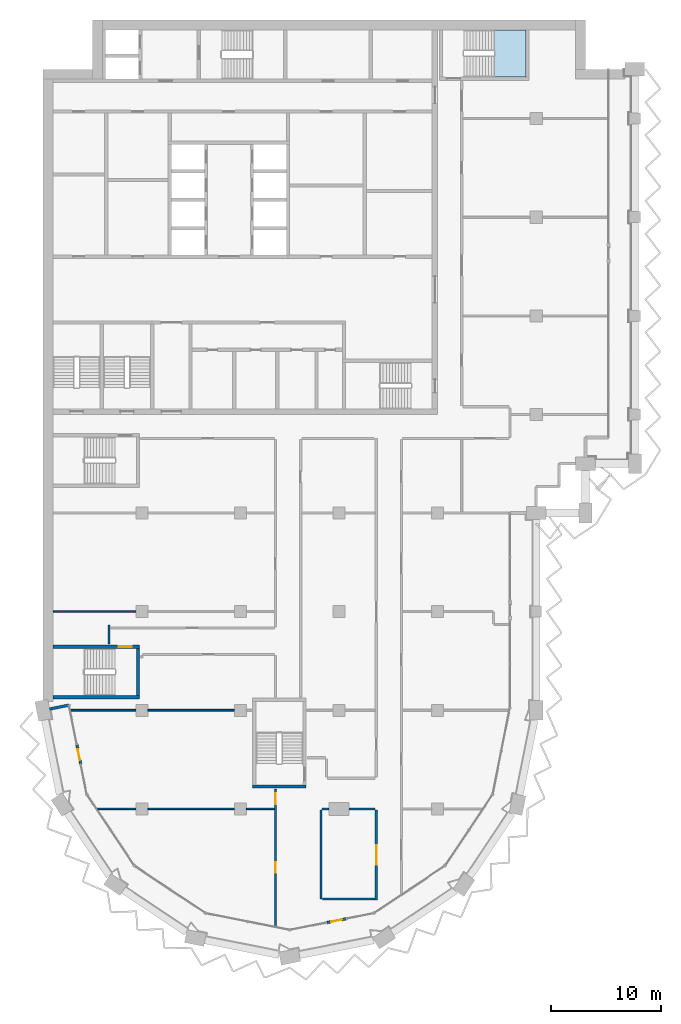
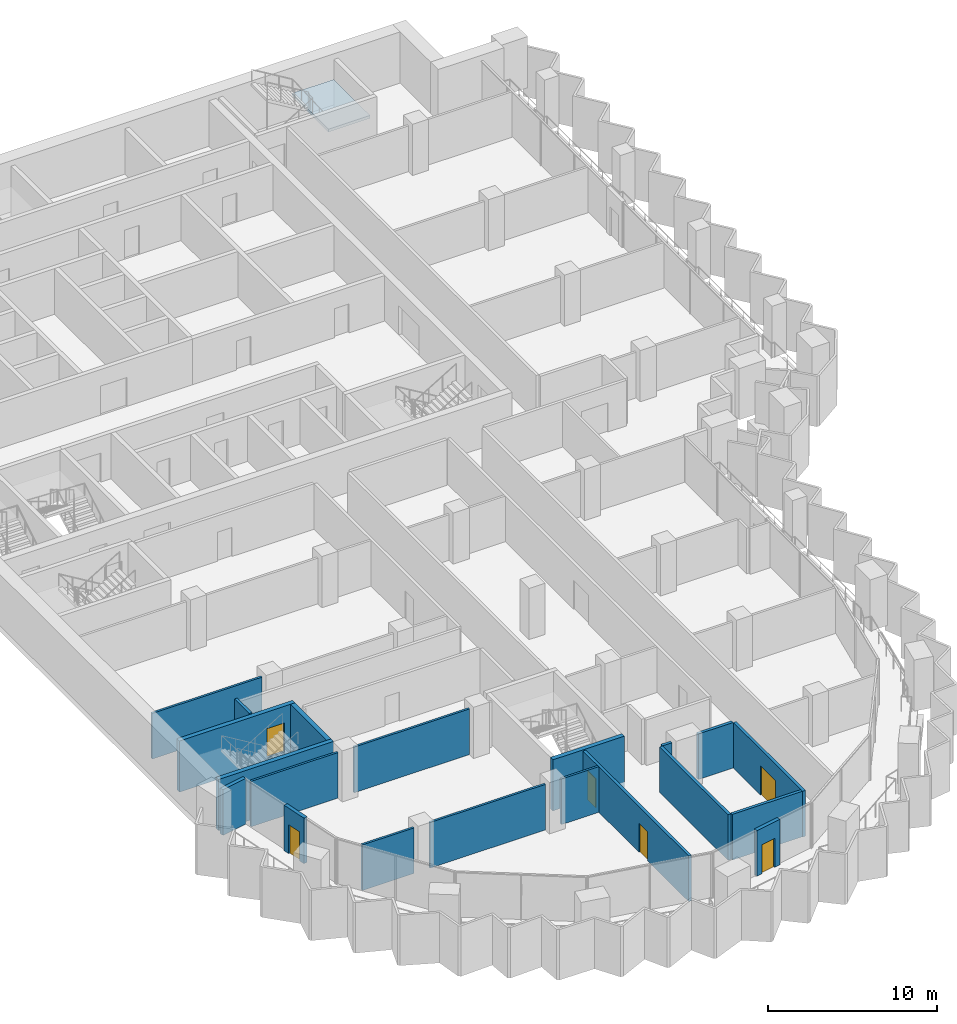
# One storey, part 7 of 17: 20 walls, 6 doors, 1 slab, 6 openings, 1 element without a shape of its own.
"""IFC4 building model written with IfcOpenShell, lengths in metres."""

from ifc_helpers import new_model, si_unit, direction, frame, frame_2d, origin, place, context, subcontext, project, spatial, polyline, rectangle, outline, extrude, material, layer, layer_set, type_object, element, fill, aggregate, save


model = new_model("IFC4")

# Units and contexts
model_context = context("Model", 3, precision=1e-05, world=origin(), true_north=direction((0.0, 1.0)))
body_context = subcontext(model_context, "Body", "Model", "MODEL_VIEW")
ifc_project = project(units=[si_unit("LENGTHUNIT", "METRE"), si_unit("AREAUNIT", "SQUARE_METRE"), si_unit("VOLUMEUNIT", "CUBIC_METRE"), si_unit("PLANEANGLEUNIT", "RADIAN"), si_unit("MASSUNIT", "GRAM", prefix="KILO")], contexts=[model_context])

# Site, building, storey
site_placement = place(None, origin())
site = spatial("IfcSite", under=ifc_project, at=site_placement, CompositionType="ELEMENT")
building_placement = place(site_placement, origin())
building = spatial("IfcBuilding", under=site, at=building_placement, Name="Hunhe Ridgeline Campus", CompositionType="ELEMENT")
storey_placement = place(building_placement, frame((0.0, 0.0, 212.39990234375)))
storey = spatial("IfcBuildingStorey", under=building, at=storey_placement, Name="L54", CompositionType="ELEMENT", Elevation=212.39990234375)

# Stair, slab
ifc_material_1 = material(Name="Concrete C40", Category="concrete")
stair_type = type_object("IfcStairType", Name="Reinforced concrete dog-leg stair 1950 Concrete C40", PredefinedType="HALF_TURN_STAIR", material=ifc_material_1)
stair_placement = place(storey_placement, origin())
stair = element("IfcStair", 1, at=stair_placement, inside=storey, type_object=stair_type, Name="L54 E1", PredefinedType="HALF_TURN_STAIR")
ifc_layer_1 = layer(ifc_material_1, 0.199951171875)
ifc_layer_set_1 = layer_set([ifc_layer_1], Name="Reinforced concrete stair landing 200 Concrete C40")
slab_type = type_object("IfcSlabType", Name="Reinforced concrete stair landing 200 Concrete C40", PredefinedType="LANDING", material=ifc_layer_set_1)
slab_placement = place(storey_placement, frame((0.0, 0.0, 1.650146484375)))
slab = element("IfcSlab", 2, at=slab_placement, type_object=slab_type, Name="ST5 landing 1", PredefinedType="LANDING", context=body_context, shape_type="SweptSolid", body=[
    extrude(outline(polyline([(41.199951171875, 93.800048828125), (44.050048828125, 93.800048828125), (44.050048828125, 98.10009765625), (41.199951171875, 98.10009765625), (41.199951171875, 93.800048828125)])), origin(), (0.0, 0.0, 1.0), 0.199951171875),
])
aggregate(stair, [slab])

# Walls
ifc_material_2 = material(Name="Concrete C30", Category="concrete")
ifc_layer_2 = layer(ifc_material_2, 0.25)
ifc_layer_set_2 = layer_set([ifc_layer_2], Name="Corner return wall 250 Concrete C30")
wall_type_1 = type_object("IfcWallType", Name="Corner return wall 250 Concrete C30", PredefinedType="SOLIDWALL", material=ifc_layer_set_2)
wall_1_placement = place(storey_placement, frame((0.58837890625, 36.117919921875, 0.0), z_axis=(0.0, 0.0, 1.0), x_axis=(0.980840518545, 0.194812415363, 0.0)))
element("IfcWall", 3, at=wall_1_placement, inside=storey, type_object=wall_type_1, Name="Corner return wall 1", PredefinedType="SOLIDWALL", context=body_context, shape_type="SweptSolid", body=[
    extrude(rectangle(XDim=1.80078125, YDim=0.25, at=frame_2d((0.900390625, 0.0))), origin(), (0.0, 0.0, 1.0), 3.300048828125),
])
ifc_material_3 = material(Name="Gypsum board partition")
ifc_layer_3 = layer(ifc_material_3, 0.199951171875)
ifc_layer_set_3 = layer_set([ifc_layer_3], Name="Corridor partition 200 gypsum board on steel studs")
wall_type_2 = type_object("IfcWallType", Name="Corridor partition 200 gypsum board on steel studs", PredefinedType="PARTITIONING", material=ifc_layer_set_3)
wall_2_placement = place(storey_placement, frame((25.492919921875, 18.7900390625, 0.0), z_axis=(0.0, 0.0, 1.0), x_axis=(1.0, 0.0, 0.0)))
element("IfcWall", 4, at=wall_2_placement, inside=storey, type_object=wall_type_2, Name="F-L54-wall-001", PredefinedType="PARTITIONING", context=body_context, shape_type="SweptSolid", body=[
    extrude(rectangle(XDim=4.80712890625, YDim=0.199951171875, at=frame_2d((2.403564453125, 0.0))), origin(), (0.0, 0.0, 1.0), 3.300048828125),
])
wall_3_placement = place(storey_placement, frame((26.10009765625, 27.0, 0.0), z_axis=(0.0, 0.0, 1.0), x_axis=(-1.0, 0.0, 0.0)))
element("IfcWall", 5, at=wall_3_placement, inside=storey, type_object=wall_type_2, Name="F-L54-wall-002", PredefinedType="PARTITIONING", context=body_context, shape_type="SweptSolid", body=[
    extrude(rectangle(XDim=0.650146484375, YDim=0.199951171875, at=frame_2d((0.3251953125, 0.0))), origin(), (0.0, 0.0, 1.0), 3.300048828125),
])
wall_4_placement = place(storey_placement, frame((30.300048828125, 27.0, 0.0), z_axis=(0.0, 0.0, 1.0), x_axis=(-1.0, 0.0, 0.0)))
element("IfcWall", 6, at=wall_4_placement, inside=storey, type_object=wall_type_2, Name="F-L54-wall-003", PredefinedType="PARTITIONING", context=body_context, shape_type="SweptSolid", body=[
    extrude(rectangle(XDim=2.400146484375, YDim=0.199951171875, at=frame_2d((1.2001953125, 0.0))), origin(), (0.0, 0.0, 1.0), 3.300048828125),
])
wall_5_placement = place(storey_placement, frame((6.0, 42.053955078125, 0.0), z_axis=(0.0, 0.0, 1.0), x_axis=(0.0, 1.0, 0.0)))
element("IfcWall", 7, at=wall_5_placement, inside=storey, type_object=wall_type_2, Name="F-L54-wall-045", PredefinedType="PARTITIONING", context=body_context, shape_type="SweptSolid", body=[
    extrude(rectangle(XDim=1.74609375, YDim=0.199951171875, at=frame_2d((0.873046875, 0.0))), origin(), (0.0, 0.0, 1.0), 3.300048828125),
])

# Wall, openings, doors
wall_6_placement = place(storey_placement, frame((21.199951171875, 16.26171875, 0.0), z_axis=(0.0, 0.0, 1.0), x_axis=(0.0, 1.0, 0.0)))
wall_6 = element("IfcWall", 8, at=wall_6_placement, inside=storey, type_object=wall_type_2, Name="F-L54-wall-047", PredefinedType="PARTITIONING", context=body_context, shape_type="SweptSolid", body=[
    extrude(rectangle(XDim=12.5341796875, YDim=0.199951171875, at=frame_2d((6.26708984375, 0.0))), origin(), (0.0, 0.0, 1.0), 3.300048828125),
])
opening_1_placement = place(wall_6_placement, frame((4.889892578125, 0.0, 0.0)))
opening_1 = element("IfcOpeningElement", 9, at=opening_1_placement, cuts=wall_6, Name="Opening RD1-001", PredefinedType="OPENING", context=body_context, shape_type="SweptSolid", body=[
    extrude(rectangle(XDim=1.0, YDim=2.10009765625, at=frame_2d((0.5, 1.050048828125))), frame((0.0, 0.10009765625, 0.0), z_axis=(0.0, -1.0, 0.0), x_axis=(1.0, 0.0, 0.0)), (0.0, 0.0, 1.0), 0.199951171875),
])
opening_2_placement = place(wall_6_placement, frame((11.156982421875, 0.0, 0.0)))
opening_2 = element("IfcOpeningElement", 10, at=opening_2_placement, cuts=wall_6, Name="Opening RD1-004", PredefinedType="OPENING", context=body_context, shape_type="SweptSolid", body=[
    extrude(rectangle(XDim=1.0, YDim=2.10009765625, at=frame_2d((0.5, 1.050048828125))), frame((0.0, 0.10009765625, 0.0), z_axis=(0.0, -1.0, 0.0), x_axis=(1.0, 0.0, 0.0)), (0.0, 0.0, 1.0), 0.199951171875),
])
ifc_material_4 = material(Name="Timber door leaf", Category="wood")
door_type_1 = type_object("IfcDoorType", Name="Single fire door 1000x2100 timber FD60", OperationType="NOTDEFINED", PredefinedType="DOOR", material=ifc_material_4)
door_1_placement = place(opening_1_placement, origin())
door_1 = element("IfcDoor", 11, at=door_1_placement, inside=storey, type_object=door_type_1, Name="F-L54-door-001", OperationType="SINGLE_SWING_RIGHT", OverallHeight=2.10009765625, OverallWidth=1.0, PredefinedType="DOOR", context=body_context, shape_type="SweptSolid", body=[
    extrude(rectangle(XDim=1.0, YDim=2.10009765625, at=frame_2d((0.5, 1.050048828125))), frame((0.0, 0.02490234375, 0.0), z_axis=(0.0, -1.0, 0.0), x_axis=(1.0, 0.0, 0.0)), (0.0, 0.0, 1.0), 0.050048828125),
])
fill(opening_1, door_1)
door_2_placement = place(opening_2_placement, origin())
door_2 = element("IfcDoor", 12, at=door_2_placement, inside=storey, type_object=door_type_1, Name="F-L54-door-004", OperationType="SINGLE_SWING_RIGHT", OverallHeight=2.10009765625, OverallWidth=1.0, PredefinedType="DOOR", context=body_context, shape_type="SweptSolid", body=[
    extrude(rectangle(XDim=1.0, YDim=2.10009765625, at=frame_2d((0.5, 1.050048828125))), frame((0.0, 0.02490234375, 0.0), z_axis=(0.0, -1.0, 0.0), x_axis=(1.0, 0.0, 0.0)), (0.0, 0.0, 1.0), 0.050048828125),
])
fill(opening_2, door_2)

# Wall
wall_7_placement = place(storey_placement, frame((25.35009765625, 26.89990234375, 0.0), z_axis=(0.0, 0.0, 1.0), x_axis=(0.0, -1.0, 0.0)))
element("IfcWall", 13, at=wall_7_placement, inside=storey, type_object=wall_type_2, Name="F-L54-wall-051", PredefinedType="PARTITIONING", context=body_context, shape_type="SweptSolid", body=[
    extrude(rectangle(XDim=8.10986328125, YDim=0.199951171875, at=frame_2d((4.054931640625, 0.0))), origin(), (0.0, 0.0, 1.0), 3.300048828125),
])

# Wall, opening, door
wall_8_placement = place(storey_placement, frame((30.39990234375, 18.670654296875, 0.0), z_axis=(0.0, 0.0, 1.0), x_axis=(0.0, 1.0, 0.0)))
wall_8 = element("IfcWall", 14, at=wall_8_placement, inside=storey, type_object=wall_type_2, Name="F-L54-wall-053", PredefinedType="PARTITIONING", context=body_context, shape_type="SweptSolid", body=[
    extrude(rectangle(XDim=8.229248046875, YDim=0.199951171875, at=frame_2d((4.11474609375, 0.0))), origin(), (0.0, 0.0, 1.0), 3.300048828125),
])
opening_3_placement = place(wall_8_placement, frame((3.214599609375, 0.0, 0.0)))
opening_3 = element("IfcOpeningElement", 15, at=opening_3_placement, cuts=wall_8, Name="Opening RD2-002", PredefinedType="OPENING", context=body_context, shape_type="SweptSolid", body=[
    extrude(rectangle(XDim=1.800048828125, YDim=2.10009765625, at=frame_2d((0.89990234375, 1.050048828125))), frame((0.0, 0.10009765625, 0.0), z_axis=(0.0, -1.0, 0.0), x_axis=(1.0, 0.0, 0.0)), (0.0, 0.0, 1.0), 0.199951171875),
])
door_type_2 = type_object("IfcDoorType", Name="Double fire door 1800x2100 timber FD60", OperationType="DOUBLE_DOOR_SINGLE_SWING", PredefinedType="DOOR", material=ifc_material_4)
door_3_placement = place(opening_3_placement, origin())
door_3 = element("IfcDoor", 16, at=door_3_placement, inside=storey, type_object=door_type_2, Name="F-L54-door-002", OperationType="DOUBLE_DOOR_SINGLE_SWING", OverallHeight=2.10009765625, OverallWidth=1.800048828125, PredefinedType="DOOR", context=body_context, shape_type="SweptSolid", body=[
    extrude(rectangle(XDim=1.800048828125, YDim=2.10009765625, at=frame_2d((0.89990234375, 1.050048828125))), frame((0.0, 0.02490234375, 0.0), z_axis=(0.0, -1.0, 0.0), x_axis=(1.0, 0.0, 0.0)), (0.0, 0.0, 1.0), 0.050048828125),
])
fill(opening_3, door_3)

ifc_layer_4 = layer(ifc_material_2, 0.25)
ifc_layer_set_4 = layer_set([ifc_layer_4], Name="Loggia door pier wall 250 Concrete C30")
wall_type_3 = type_object("IfcWallType", Name="Loggia door pier wall 250 Concrete C30", PredefinedType="SOLIDWALL", material=ifc_layer_set_4)
wall_9_placement = place(storey_placement, frame((3.076904296875, 32.8388671875, 0.0), z_axis=(0.0, 0.0, 1.0), x_axis=(0.195046569833, -0.980793982239, 0.0)))
wall_9 = element("IfcWall", 17, at=wall_9_placement, inside=storey, type_object=wall_type_3, Name="Loggia door pier 1", PredefinedType="SOLIDWALL", context=body_context, shape_type="SweptSolid", body=[
    extrude(rectangle(XDim=1.800048828125, YDim=0.25, at=frame_2d((0.89990234375, 0.0))), origin(), (0.0, 0.0, 1.0), 3.300048828125),
])
opening_4_placement = place(wall_9_placement, frame((0.39990234375, 0.0, 0.0)))
opening_4 = element("IfcOpeningElement", 18, at=opening_4_placement, cuts=wall_9, Name="Opening BD401", PredefinedType="OPENING", context=body_context, shape_type="SweptSolid", body=[
    extrude(rectangle(XDim=1.0, YDim=2.10009765625, at=frame_2d((0.5, 1.050048828125))), frame((0.0, 0.125, 0.0), z_axis=(0.0, -1.0, 0.0), x_axis=(1.0, 0.0, 0.0)), (0.0, 0.0, 1.0), 0.25),
])
ifc_material_5 = material(Name="Aluminium 6063", Category="aluminium")
door_type_3 = type_object("IfcDoorType", Name="Loggia glazed door 1000x2100", OperationType="NOTDEFINED", PredefinedType="DOOR", material=ifc_material_5)
door_4_placement = place(opening_4_placement, frame((1.0, 0.0, 0.0), z_axis=(0.0, 0.0, 1.0), x_axis=(-1.0, 0.0, 0.0)))
door_4 = element("IfcDoor", 19, at=door_4_placement, inside=storey, type_object=door_type_3, Name="Loggia door BD401", OperationType="SINGLE_SWING_RIGHT", OverallHeight=2.10009765625, OverallWidth=1.0, PredefinedType="DOOR", context=body_context, shape_type="SweptSolid", body=[
    extrude(rectangle(XDim=1.0, YDim=2.10009765625, at=frame_2d((0.5, 1.050048828125))), frame((0.0, 0.02490234375, 0.0), z_axis=(0.0, -1.0, 0.0), x_axis=(1.0, 0.0, 0.0)), (0.0, 0.0, 1.0), 0.050048828125),
])
fill(opening_4, door_4)

wall_10_placement = place(storey_placement, frame((25.8955078125, 16.62353515625, 0.0), z_axis=(0.0, 0.0, 1.0), x_axis=(0.980793982239, 0.195046569833, 0.0)))
wall_10 = element("IfcWall", 20, at=wall_10_placement, inside=storey, type_object=wall_type_3, Name="Loggia door pier 2", PredefinedType="SOLIDWALL", context=body_context, shape_type="SweptSolid", body=[
    extrude(rectangle(XDim=1.800048828125, YDim=0.25, at=frame_2d((0.89990234375, 0.0))), origin(), (0.0, 0.0, 1.0), 3.300048828125),
])
opening_5_placement = place(wall_10_placement, frame((0.39990234375, 0.0, 0.0)))
opening_5 = element("IfcOpeningElement", 21, at=opening_5_placement, cuts=wall_10, Name="Opening BD403", PredefinedType="OPENING", context=body_context, shape_type="SweptSolid", body=[
    extrude(rectangle(XDim=1.0, YDim=2.10009765625, at=frame_2d((0.5, 1.050048828125))), frame((0.0, 0.125, 0.0), z_axis=(0.0, -1.0, 0.0), x_axis=(1.0, 0.0, 0.0)), (0.0, 0.0, 1.0), 0.25),
])
door_5_placement = place(opening_5_placement, frame((1.0, 0.0, 0.0), z_axis=(0.0, 0.0, 1.0), x_axis=(-1.0, 0.0, 0.0)))
door_5 = element("IfcDoor", 22, at=door_5_placement, inside=storey, type_object=door_type_3, Name="Loggia door BD403", OperationType="SINGLE_SWING_RIGHT", OverallHeight=2.10009765625, OverallWidth=1.0, PredefinedType="DOOR", context=body_context, shape_type="SweptSolid", body=[
    extrude(rectangle(XDim=1.0, YDim=2.10009765625, at=frame_2d((0.5, 1.050048828125))), frame((0.0, 0.02490234375, 0.0), z_axis=(0.0, -1.0, 0.0), x_axis=(1.0, 0.0, 0.0)), (0.0, 0.0, 1.0), 0.050048828125),
])
fill(opening_5, door_5)

# Walls
ifc_layer_5 = layer(ifc_material_3, 0.14990234375)
ifc_layer_set_5 = layer_set([ifc_layer_5], Name="Room partition 150 gypsum board on steel studs")
wall_type_4 = type_object("IfcWallType", Name="Room partition 150 gypsum board on steel studs", PredefinedType="PARTITIONING", material=ifc_layer_set_5)
wall_11_placement = place(storey_placement, frame((4.925537109375, 27.0, 0.0), z_axis=(0.0, 0.0, 1.0), x_axis=(1.0, 0.0, 0.0)))
element("IfcWall", 23, at=wall_11_placement, inside=storey, type_object=wall_type_4, Name="F-L54-wall-004", PredefinedType="PARTITIONING", context=body_context, shape_type="SweptSolid", body=[
    extrude(rectangle(XDim=3.5244140625, YDim=0.14990234375, at=frame_2d((1.76220703125, 0.0))), origin(), (0.0, 0.0, 1.0), 3.300048828125),
])
wall_12_placement = place(storey_placement, frame((9.550048828125, 27.0, 0.0), z_axis=(0.0, 0.0, 1.0), x_axis=(1.0, 0.0, 0.0)))
element("IfcWall", 24, at=wall_12_placement, inside=storey, type_object=wall_type_4, Name="F-L54-wall-005", PredefinedType="PARTITIONING", context=body_context, shape_type="SweptSolid", body=[
    extrude(rectangle(XDim=7.89990234375, YDim=0.14990234375, at=frame_2d((3.949951171875, 0.0))), origin(), (0.0, 0.0, 1.0), 3.300048828125),
])
wall_13_placement = place(storey_placement, frame((18.550048828125, 27.0, 0.0), z_axis=(0.0, 0.0, 1.0), x_axis=(1.0, 0.0, 0.0)))
element("IfcWall", 25, at=wall_13_placement, inside=storey, type_object=wall_type_4, Name="F-L54-wall-006", PredefinedType="PARTITIONING", context=body_context, shape_type="SweptSolid", body=[
    extrude(rectangle(XDim=2.550048828125, YDim=0.14990234375, at=frame_2d((1.27490234375, 0.0))), origin(), (0.0, 0.0, 1.0), 3.300048828125),
])
wall_14_placement = place(storey_placement, frame((2.503173828125, 36.0, 0.0), z_axis=(0.0, 0.0, 1.0), x_axis=(1.0, 0.0, 0.0)))
element("IfcWall", 26, at=wall_14_placement, inside=storey, type_object=wall_type_4, Name="F-L54-wall-011", PredefinedType="PARTITIONING", context=body_context, shape_type="SweptSolid", body=[
    extrude(rectangle(XDim=5.94677734375, YDim=0.14990234375, at=frame_2d((2.973388671875, 0.0))), origin(), (0.0, 0.0, 1.0), 3.300048828125),
])
wall_15_placement = place(storey_placement, frame((9.550048828125, 36.0, 0.0), z_axis=(0.0, 0.0, 1.0), x_axis=(1.0, 0.0, 0.0)))
element("IfcWall", 27, at=wall_15_placement, inside=storey, type_object=wall_type_4, Name="F-L54-wall-012", PredefinedType="PARTITIONING", context=body_context, shape_type="SweptSolid", body=[
    extrude(rectangle(XDim=7.89990234375, YDim=0.14990234375, at=frame_2d((3.949951171875, 0.0))), origin(), (0.0, 0.0, 1.0), 3.300048828125),
])
wall_16_placement = place(storey_placement, frame((0.919921875, 45.0, 0.0), z_axis=(0.0, 0.0, 1.0), x_axis=(1.0, 0.0, 0.0)))
element("IfcWall", 28, at=wall_16_placement, inside=storey, type_object=wall_type_4, Name="F-L54-wall-021", PredefinedType="PARTITIONING", context=body_context, shape_type="SweptSolid", body=[
    extrude(rectangle(XDim=7.530029296875, YDim=0.14990234375, at=frame_2d((3.76513671875, 0.0))), origin(), (0.0, 0.0, 1.0), 3.300048828125),
])
ifc_material_6 = material(Name="Concrete C60", Category="concrete")
ifc_layer_6 = layer(ifc_material_6, 0.300048828125)
ifc_layer_set_6 = layer_set([ifc_layer_6], Name="Stair wall 300 reinforced concrete C60")
wall_type_5 = type_object("IfcWallType", Name="Stair wall 300 reinforced concrete C60", PredefinedType="SOLIDWALL", material=ifc_layer_set_6)
wall_17_placement = place(storey_placement, frame((19.10009765625, 29.050048828125, -0.39990234375), z_axis=(0.0, 0.0, 1.0), x_axis=(1.0, 0.0, 0.0)))
element("IfcWall", 29, at=wall_17_placement, inside=storey, type_object=wall_type_5, Name="L54 core wall 1", PredefinedType="SOLIDWALL", context=body_context, shape_type="SweptSolid", body=[
    extrude(rectangle(XDim=4.89990234375, YDim=0.300048828125, at=frame_2d((2.449951171875, 0.0))), origin(), (0.0, 0.0, 1.0), 3.699951171875),
])
wall_18_placement = place(storey_placement, frame((0.89990234375, 37.199951171875, -0.39990234375), z_axis=(0.0, 0.0, 1.0), x_axis=(1.0, 0.0, 0.0)))
element("IfcWall", 30, at=wall_18_placement, inside=storey, type_object=wall_type_5, Name="L54 core wall 3", PredefinedType="SOLIDWALL", context=body_context, shape_type="SweptSolid", body=[
    extrude(rectangle(XDim=7.900146484375, YDim=0.300048828125, at=frame_2d((3.9501953125, 0.0))), origin(), (0.0, 0.0, 1.0), 3.699951171875),
])

# Wall, opening, door
wall_19_placement = place(storey_placement, frame((0.89990234375, 41.800048828125, -0.39990234375), z_axis=(0.0, 0.0, 1.0), x_axis=(1.0, 0.0, 0.0)))
wall_19 = element("IfcWall", 31, at=wall_19_placement, inside=storey, type_object=wall_type_5, Name="L54 core wall 4", PredefinedType="SOLIDWALL", context=body_context, shape_type="SweptSolid", body=[
    extrude(rectangle(XDim=7.900146484375, YDim=0.300048828125, at=frame_2d((3.9501953125, 0.0))), origin(), (0.0, 0.0, 1.0), 3.699951171875),
])
opening_6_placement = place(wall_19_placement, frame((6.0, 0.0, 0.39990234375)))
opening_6 = element("IfcOpeningElement", 32, at=opening_6_placement, cuts=wall_19, Name="Opening CD21", PredefinedType="OPENING", context=body_context, shape_type="SweptSolid", body=[
    extrude(rectangle(XDim=1.199951171875, YDim=2.10009765625, at=frame_2d((0.60009765625, 1.050048828125))), frame((0.0, 0.14990234375, 0.0), z_axis=(0.0, -1.0, 0.0), x_axis=(1.0, 0.0, 0.0)), (0.0, 0.0, 1.0), 0.300048828125),
])
ifc_material_7 = material(Name="Hollow metal fire door leaf")
door_type_4 = type_object("IfcDoorType", Name="Stair door 1200x2100 FD60", OperationType="SINGLE_SWING_LEFT", PredefinedType="DOOR", material=ifc_material_7)
door_6_placement = place(opening_6_placement, origin())
door_6 = element("IfcDoor", 33, at=door_6_placement, inside=storey, type_object=door_type_4, Name="L54 door W1", OperationType="SINGLE_SWING_LEFT", OverallHeight=2.10009765625, OverallWidth=1.199951171875, PredefinedType="DOOR", context=body_context, shape_type="SweptSolid", body=[
    extrude(rectangle(XDim=1.199951171875, YDim=2.10009765625, at=frame_2d((0.60009765625, 1.050048828125))), frame((0.0, 0.02490234375, 0.0), z_axis=(0.0, -1.0, 0.0), x_axis=(1.0, 0.0, 0.0)), (0.0, 0.0, 1.0), 0.050048828125),
])
fill(opening_6, door_6)

# Wall
wall_20_placement = place(storey_placement, frame((8.64990234375, 37.35009765625, -0.39990234375), z_axis=(0.0, 0.0, 1.0), x_axis=(0.0, 1.0, 0.0)))
element("IfcWall", 34, at=wall_20_placement, inside=storey, type_object=wall_type_5, Name="L54 core wall 32", PredefinedType="SOLIDWALL", context=body_context, shape_type="SweptSolid", body=[
    extrude(rectangle(XDim=4.2998046875, YDim=0.300048828125, at=frame_2d((2.14990234375, 0.0))), origin(), (0.0, 0.0, 1.0), 3.699951171875),
])

save(model, "model.ifc")
